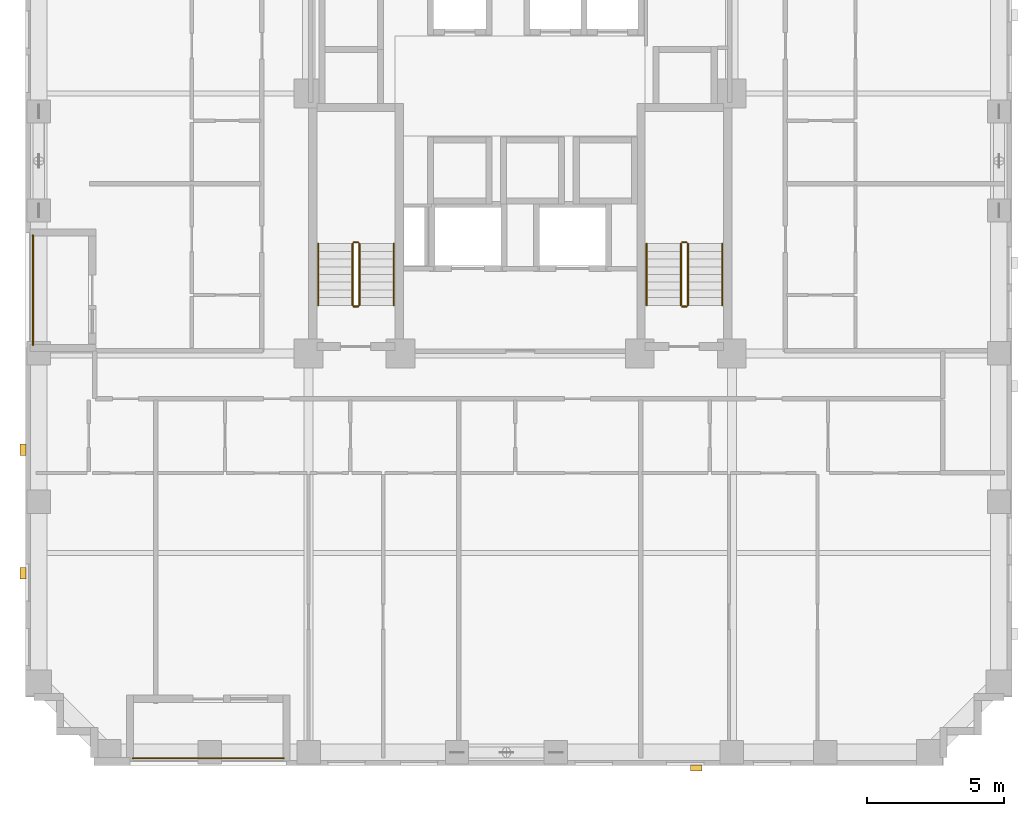
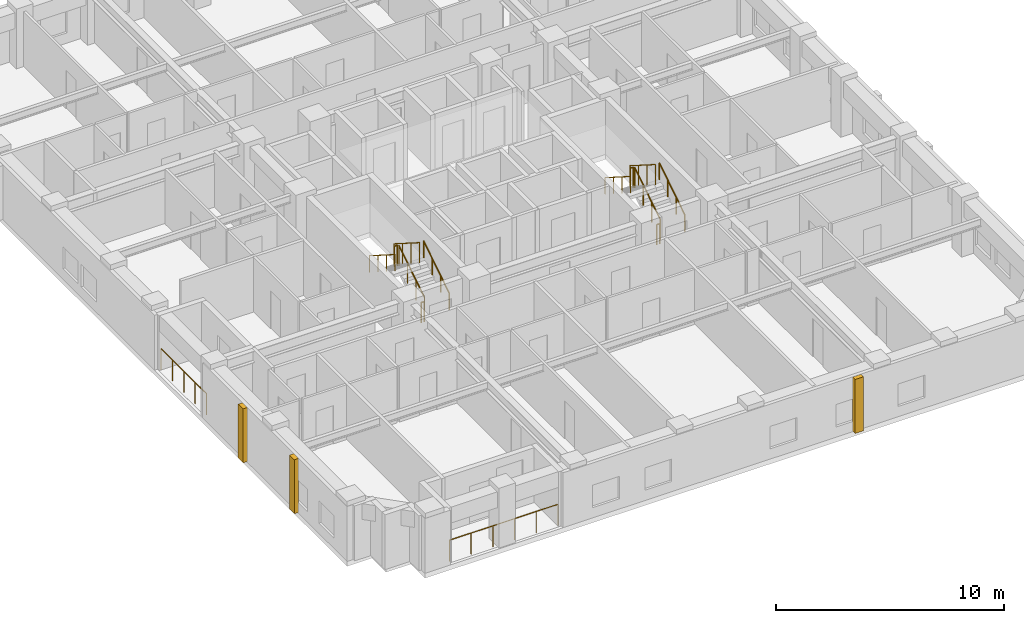
# One storey, part 11 of 12: 14 railings, 3 coverings.
"""IFC4 building model written with IfcOpenShell, lengths in metres."""

from ifc_helpers import new_model, si_unit, derived_unit, direction, frame, origin, origin_2d, place, context, subcontext, project, spatial, rectangle, circle, extrude, material, layer, layer_set, type_object, element, save


model = new_model("IFC4")

# Units and contexts
model_context = context("Model", 3, precision=1e-05, world=origin(), true_north=direction((0.0, 1.0)))
body_context = subcontext(model_context, "Body", "Model", "MODEL_VIEW")
ifc_project = project(units=[si_unit("LENGTHUNIT", "METRE"), si_unit("AREAUNIT", "SQUARE_METRE"), si_unit("VOLUMEUNIT", "CUBIC_METRE"), si_unit("PLANEANGLEUNIT", "RADIAN"), si_unit("MASSUNIT", "GRAM", prefix="KILO"), derived_unit("THERMALTRANSMITTANCEUNIT", [(si_unit("MASSUNIT", "GRAM", prefix="KILO"), 1), (si_unit("TIMEUNIT", "SECOND"), -3), (si_unit("THERMODYNAMICTEMPERATUREUNIT", "KELVIN"), -1)])], contexts=[model_context])

# Site, building, storey
site_placement = place(None, origin())
site = spatial("IfcSite", under=ifc_project, at=site_placement, CompositionType="ELEMENT")
building_placement = place(site_placement, origin())
building = spatial("IfcBuilding", under=site, at=building_placement, Name="Korrvale Station Residences", CompositionType="ELEMENT")
storey_placement = place(building_placement, frame((0.0, 0.0, 87.89990234375)))
storey = spatial("IfcBuildingStorey", under=building, at=storey_placement, Name="L24", CompositionType="ELEMENT", Elevation=87.89990234375)

# Coverings
ifc_material_1 = material(Name="Architectural precast concrete C45/55", Category="concrete")
ifc_layer = layer(ifc_material_1, 0.219970703125, Name="Architectural precast concrete C45/55")
ifc_layer_set = layer_set([ifc_layer], Name="Architectural precast concrete C45/55")
covering_type = type_object("IfcCoveringType", Name="COV-PIER-400", PredefinedType="CLADDING", material=ifc_layer_set)
for number, where, z_axis, x_axis, name in (
    (1, (31.89990234375, -0.090087890625, 0.025390625), (0.0, 0.0, 1.0), (1.0, 0.0, 0.0), "L24 Architectural Precast Facade Pier 01"),
    (2, (7.409912109375, 7.0, 0.025390625), (0.0, 0.0, 1.0), (0.0, 1.0, 0.0), "L24 Architectural Precast Facade Pier 04"),
    (3, (7.409912109375, 11.5, 0.025390625), (0.0, 0.0, 1.0), (0.0, 1.0, 0.0), "L24 Architectural Precast Facade Pier 05"),
):
    element("IfcCovering", number, at=place(storey_placement, frame(where, z_axis=z_axis, x_axis=x_axis)), inside=storey, type_object=covering_type, Name=name, PredefinedType="CLADDING", context=body_context, shape_type="SweptSolid", body=[
        extrude(rectangle(XDim=0.419921875, YDim=0.219970703125, at=origin_2d()), origin(), (0.0, 0.0, 1.0), 2.889892578125),
    ])

# Railings
ifc_material_2 = material(Name="Powder-coated aluminium picket loggia guard", Category="aluminium")
railing_type_1 = type_object("IfcRailingType", Name="RLG-BAL-1150", PredefinedType="GUARDRAIL", material=ifc_material_2)
railing_1_placement = place(storey_placement, frame((11.39990234375, 0.27001953125, 0.0)))
element("IfcRailing", 4, at=railing_1_placement, inside=storey, type_object=railing_type_1, Name="L24 Recessed Loggia Guardrail BAL-L24-S1", PredefinedType="GUARDRAIL", context=body_context, shape_type="SweptSolid", body=[
    extrude(circle(Radius=0.02392578125, at=origin_2d()), frame((0.0, 0.0, 1.1259765625), z_axis=(1.0, 0.0, 0.0), x_axis=(0.0, 1.0, 0.0)), (0.0, 0.0, 1.0), 5.5),
    extrude(circle(Radius=0.02099609375, at=origin_2d()), origin(), (0.0, 0.0, 1.0), 1.101806640625),
    extrude(circle(Radius=0.02099609375, at=origin_2d()), frame((1.10009765625, 0.0, 0.0)), (0.0, 0.0, 1.0), 1.101806640625),
    extrude(circle(Radius=0.02099609375, at=origin_2d()), frame((2.199951171875, 0.0, 0.0)), (0.0, 0.0, 1.0), 1.101806640625),
    extrude(circle(Radius=0.02099609375, at=origin_2d()), frame((3.300048828125, 0.0, 0.0)), (0.0, 0.0, 1.0), 1.101806640625),
    extrude(circle(Radius=0.02099609375, at=origin_2d()), frame((4.39990234375, 0.0, 0.0)), (0.0, 0.0, 1.0), 1.101806640625),
    extrude(circle(Radius=0.02099609375, at=origin_2d()), frame((5.5, 0.0, 0.0)), (0.0, 0.0, 1.0), 1.101806640625),
])
railing_2_placement = place(storey_placement, frame((7.77001953125, 15.300048828125, 0.0)))
element("IfcRailing", 5, at=railing_2_placement, inside=storey, type_object=railing_type_1, Name="L24 Recessed Loggia Guardrail BAL-L24-W1", PredefinedType="GUARDRAIL", context=body_context, shape_type="SweptSolid", body=[
    extrude(circle(Radius=0.02392578125, at=origin_2d()), frame((0.0, 0.0, 1.1259765625), z_axis=(0.0, 1.0, 0.0), x_axis=(-1.0, 0.0, 0.0)), (0.0, 0.0, 1.0), 4.0),
    extrude(circle(Radius=0.02099609375, at=origin_2d()), origin(), (0.0, 0.0, 1.0), 1.101806640625),
    extrude(circle(Radius=0.02099609375, at=origin_2d()), frame((0.0, 1.0, 0.0)), (0.0, 0.0, 1.0), 1.101806640625),
    extrude(circle(Radius=0.02099609375, at=origin_2d()), frame((0.0, 2.0, 0.0)), (0.0, 0.0, 1.0), 1.101806640625),
    extrude(circle(Radius=0.02099609375, at=origin_2d()), frame((0.0, 3.0, 0.0)), (0.0, 0.0, 1.0), 1.101806640625),
    extrude(circle(Radius=0.02099609375, at=origin_2d()), frame((0.0, 4.0, 0.0)), (0.0, 0.0, 1.0), 1.101806640625),
])
ifc_material_3 = material(Name="Brushed stainless-steel continuous stair handrail", Category="steel")
railing_type_2 = type_object("IfcRailingType", Name="RLG-SHND-900", PredefinedType="HANDRAIL", material=ifc_material_3)
railing_3_placement = place(storey_placement, frame((20.89990234375, 16.75, 0.177978515625)))
element("IfcRailing", 6, at=railing_3_placement, inside=storey, type_object=railing_type_2, Name="L24 ST-1 stair handrail 1", PredefinedType="HANDRAIL", context=body_context, shape_type="SweptSolid", body=[
    extrude(circle(Radius=0.02392578125, at=origin_2d()), frame((0.0, 0.0, 0.8759765625), z_axis=(0.0, 0.8442293374, 0.53598211339), x_axis=(-1.0, 0.0, 0.0)), (0.0, 0.0, 1.0), 2.6533203125),
    extrude(circle(Radius=0.02099609375, at=origin_2d()), origin(), (0.0, 0.0, 1.0), 0.851806640625),
    extrude(circle(Radius=0.02099609375, at=origin_2d()), frame((0.0, 0.74658203125, 0.47412109375)), (0.0, 0.0, 1.0), 0.851806640625),
    extrude(circle(Radius=0.02099609375, at=origin_2d()), frame((0.0, 1.493408203125, 0.947998046875)), (0.0, 0.0, 1.0), 0.851806640625),
    extrude(circle(Radius=0.02099609375, at=origin_2d()), frame((0.0, 2.239990234375, 1.422119140625)), (0.0, 0.0, 1.0), 0.851806640625),
])
railing_4_placement = place(storey_placement, frame((18.14990234375, 18.989990234375, 1.77783203125)))
element("IfcRailing", 7, at=railing_4_placement, inside=storey, type_object=railing_type_2, Name="L24 ST-1 stair handrail 2", PredefinedType="HANDRAIL", context=body_context, shape_type="SweptSolid", body=[
    extrude(circle(Radius=0.02392578125, at=origin_2d()), frame((0.0, 0.0, 0.8759765625), z_axis=(0.0, -0.84418770128, 0.536047689118), x_axis=(1.0, 0.0, 0.0)), (0.0, 0.0, 1.0), 2.6533203125),
    extrude(circle(Radius=0.02099609375, at=origin_2d()), origin(), (0.0, 0.0, 1.0), 0.851806640625),
    extrude(circle(Radius=0.02099609375, at=origin_2d()), frame((0.0, -0.74658203125, 0.47412109375)), (0.0, 0.0, 1.0), 0.851806640625),
    extrude(circle(Radius=0.02099609375, at=origin_2d()), frame((0.0, -1.493408203125, 0.9482421875)), (0.0, 0.0, 1.0), 0.851806640625),
    extrude(circle(Radius=0.02099609375, at=origin_2d()), frame((0.0, -2.239990234375, 1.42236328125)), (0.0, 0.0, 1.0), 0.851806640625),
])
railing_5_placement = place(storey_placement, frame((32.85009765625, 16.75, 0.177978515625)))
element("IfcRailing", 8, at=railing_5_placement, inside=storey, type_object=railing_type_2, Name="L24 ST-2 stair handrail 1", PredefinedType="HANDRAIL", context=body_context, shape_type="SweptSolid", body=[
    extrude(circle(Radius=0.02392578125, at=origin_2d()), frame((0.0, 0.0, 0.8759765625), z_axis=(0.0, 0.8442293374, 0.53598211339), x_axis=(-1.0, 0.0, 0.0)), (0.0, 0.0, 1.0), 2.6533203125),
    extrude(circle(Radius=0.02099609375, at=origin_2d()), origin(), (0.0, 0.0, 1.0), 0.851806640625),
    extrude(circle(Radius=0.02099609375, at=origin_2d()), frame((0.0, 0.74658203125, 0.47412109375)), (0.0, 0.0, 1.0), 0.851806640625),
    extrude(circle(Radius=0.02099609375, at=origin_2d()), frame((0.0, 1.493408203125, 0.947998046875)), (0.0, 0.0, 1.0), 0.851806640625),
    extrude(circle(Radius=0.02099609375, at=origin_2d()), frame((0.0, 2.239990234375, 1.422119140625)), (0.0, 0.0, 1.0), 0.851806640625),
])
railing_6_placement = place(storey_placement, frame((30.10009765625, 18.989990234375, 1.77783203125)))
element("IfcRailing", 9, at=railing_6_placement, inside=storey, type_object=railing_type_2, Name="L24 ST-2 stair handrail 2", PredefinedType="HANDRAIL", context=body_context, shape_type="SweptSolid", body=[
    extrude(circle(Radius=0.02392578125, at=origin_2d()), frame((0.0, 0.0, 0.8759765625), z_axis=(0.0, -0.84418770128, 0.536047689118), x_axis=(1.0, 0.0, 0.0)), (0.0, 0.0, 1.0), 2.6533203125),
    extrude(circle(Radius=0.02099609375, at=origin_2d()), origin(), (0.0, 0.0, 1.0), 0.851806640625),
    extrude(circle(Radius=0.02099609375, at=origin_2d()), frame((0.0, -0.74658203125, 0.47412109375)), (0.0, 0.0, 1.0), 0.851806640625),
    extrude(circle(Radius=0.02099609375, at=origin_2d()), frame((0.0, -1.493408203125, 0.9482421875)), (0.0, 0.0, 1.0), 0.851806640625),
    extrude(circle(Radius=0.02099609375, at=origin_2d()), frame((0.0, -2.239990234375, 1.42236328125)), (0.0, 0.0, 1.0), 0.851806640625),
])
ifc_material_4 = material(Name="Galvanised painted tubular steel stair guard", Category="steel")
railing_type_3 = type_object("IfcRailingType", Name="RLG-STR-1100", PredefinedType="GUARDRAIL", material=ifc_material_4)
railing_7_placement = place(storey_placement, frame((19.64990234375, 16.75, 0.177978515625)))
element("IfcRailing", 10, at=railing_7_placement, inside=storey, type_object=railing_type_3, Name="L24 ST-1 stair guard 1", PredefinedType="GUARDRAIL", context=body_context, shape_type="SweptSolid", body=[
    extrude(circle(Radius=0.02392578125, at=origin_2d()), frame((0.0, 0.0, 1.076171875), z_axis=(0.0, 0.8442293374, 0.53598211339), x_axis=(-1.0, 0.0, 0.0)), (0.0, 0.0, 1.0), 2.6533203125),
    extrude(circle(Radius=0.02099609375, at=origin_2d()), origin(), (0.0, 0.0, 1.0), 1.052001953125),
    extrude(circle(Radius=0.02099609375, at=origin_2d()), frame((0.0, 0.74658203125, 0.47412109375)), (0.0, 0.0, 1.0), 1.052001953125),
    extrude(circle(Radius=0.02099609375, at=origin_2d()), frame((0.0, 1.493408203125, 0.947998046875)), (0.0, 0.0, 1.0), 1.052001953125),
    extrude(circle(Radius=0.02099609375, at=origin_2d()), frame((0.0, 2.239990234375, 1.422119140625)), (0.0, 0.0, 1.0), 1.052001953125),
])
railing_8_placement = place(storey_placement, frame((19.60009765625, 19.0400390625, 1.60009765625)))
element("IfcRailing", 11, at=railing_8_placement, inside=storey, type_object=railing_type_3, Name="L24 ST-1 stair guard 2", PredefinedType="GUARDRAIL", context=body_context, shape_type="SweptSolid", body=[
    extrude(circle(Radius=0.02392578125, at=origin_2d()), frame((0.0, 0.0, 1.076171875), z_axis=(-1.0, 0.0, 0.0), x_axis=(0.0, -1.0, 0.0)), (0.0, 0.0, 1.0), 0.150146484375),
    extrude(circle(Radius=0.02099609375, at=origin_2d()), origin(), (0.0, 0.0, 1.0), 1.052001953125),
    extrude(circle(Radius=0.02099609375, at=origin_2d()), frame((-0.150146484375, 0.0, 0.0)), (0.0, 0.0, 1.0), 1.052001953125),
])
railing_9_placement = place(storey_placement, frame((19.39990234375, 18.989990234375, 1.77783203125)))
element("IfcRailing", 12, at=railing_9_placement, inside=storey, type_object=railing_type_3, Name="L24 ST-1 stair guard 3", PredefinedType="GUARDRAIL", context=body_context, shape_type="SweptSolid", body=[
    extrude(circle(Radius=0.02392578125, at=origin_2d()), frame((0.0, 0.0, 1.076171875), z_axis=(0.0, -0.84418770128, 0.536047689118), x_axis=(1.0, 0.0, 0.0)), (0.0, 0.0, 1.0), 2.6533203125),
    extrude(circle(Radius=0.02099609375, at=origin_2d()), origin(), (0.0, 0.0, 1.0), 1.052001953125),
    extrude(circle(Radius=0.02099609375, at=origin_2d()), frame((0.0, -0.74658203125, 0.47412109375)), (0.0, 0.0, 1.0), 1.052001953125),
    extrude(circle(Radius=0.02099609375, at=origin_2d()), frame((0.0, -1.493408203125, 0.9482421875)), (0.0, 0.0, 1.0), 1.052001953125),
    extrude(circle(Radius=0.02099609375, at=origin_2d()), frame((0.0, -2.239990234375, 1.42236328125)), (0.0, 0.0, 1.0), 1.052001953125),
])
railing_10_placement = place(storey_placement, frame((19.60009765625, 16.699951171875, 0.0)))
element("IfcRailing", 13, at=railing_10_placement, inside=storey, type_object=railing_type_3, Name="L24 ST-1 stair guard 4", PredefinedType="GUARDRAIL", context=body_context, shape_type="SweptSolid", body=[
    extrude(circle(Radius=0.02392578125, at=origin_2d()), frame((0.0, 0.0, 1.076171875), z_axis=(-1.0, 0.0, 0.0), x_axis=(0.0, -1.0, 0.0)), (0.0, 0.0, 1.0), 0.150146484375),
    extrude(circle(Radius=0.02099609375, at=origin_2d()), origin(), (0.0, 0.0, 1.0), 1.052001953125),
    extrude(circle(Radius=0.02099609375, at=origin_2d()), frame((-0.150146484375, 0.0, 0.0)), (0.0, 0.0, 1.0), 1.052001953125),
])
railing_11_placement = place(storey_placement, frame((31.60009765625, 16.75, 0.177978515625)))
element("IfcRailing", 14, at=railing_11_placement, inside=storey, type_object=railing_type_3, Name="L24 ST-2 stair guard 1", PredefinedType="GUARDRAIL", context=body_context, shape_type="SweptSolid", body=[
    extrude(circle(Radius=0.02392578125, at=origin_2d()), frame((0.0, 0.0, 1.076171875), z_axis=(0.0, 0.8442293374, 0.53598211339), x_axis=(-1.0, 0.0, 0.0)), (0.0, 0.0, 1.0), 2.6533203125),
    extrude(circle(Radius=0.02099609375, at=origin_2d()), origin(), (0.0, 0.0, 1.0), 1.052001953125),
    extrude(circle(Radius=0.02099609375, at=origin_2d()), frame((0.0, 0.74658203125, 0.47412109375)), (0.0, 0.0, 1.0), 1.052001953125),
    extrude(circle(Radius=0.02099609375, at=origin_2d()), frame((0.0, 1.493408203125, 0.947998046875)), (0.0, 0.0, 1.0), 1.052001953125),
    extrude(circle(Radius=0.02099609375, at=origin_2d()), frame((0.0, 2.239990234375, 1.422119140625)), (0.0, 0.0, 1.0), 1.052001953125),
])
railing_12_placement = place(storey_placement, frame((31.550048828125, 19.0400390625, 1.60009765625)))
element("IfcRailing", 15, at=railing_12_placement, inside=storey, type_object=railing_type_3, Name="L24 ST-2 stair guard 2", PredefinedType="GUARDRAIL", context=body_context, shape_type="SweptSolid", body=[
    extrude(circle(Radius=0.02392578125, at=origin_2d()), frame((0.0, 0.0, 1.076171875), z_axis=(-1.0, 0.0, 0.0), x_axis=(0.0, -1.0, 0.0)), (0.0, 0.0, 1.0), 0.150146484375),
    extrude(circle(Radius=0.02099609375, at=origin_2d()), origin(), (0.0, 0.0, 1.0), 1.052001953125),
    extrude(circle(Radius=0.02099609375, at=origin_2d()), frame((-0.150146484375, 0.0, 0.0)), (0.0, 0.0, 1.0), 1.052001953125),
])
railing_13_placement = place(storey_placement, frame((31.35009765625, 18.989990234375, 1.77783203125)))
element("IfcRailing", 16, at=railing_13_placement, inside=storey, type_object=railing_type_3, Name="L24 ST-2 stair guard 3", PredefinedType="GUARDRAIL", context=body_context, shape_type="SweptSolid", body=[
    extrude(circle(Radius=0.02392578125, at=origin_2d()), frame((0.0, 0.0, 1.076171875), z_axis=(0.0, -0.84418770128, 0.536047689118), x_axis=(1.0, 0.0, 0.0)), (0.0, 0.0, 1.0), 2.6533203125),
    extrude(circle(Radius=0.02099609375, at=origin_2d()), origin(), (0.0, 0.0, 1.0), 1.052001953125),
    extrude(circle(Radius=0.02099609375, at=origin_2d()), frame((0.0, -0.74658203125, 0.47412109375)), (0.0, 0.0, 1.0), 1.052001953125),
    extrude(circle(Radius=0.02099609375, at=origin_2d()), frame((0.0, -1.493408203125, 0.9482421875)), (0.0, 0.0, 1.0), 1.052001953125),
    extrude(circle(Radius=0.02099609375, at=origin_2d()), frame((0.0, -2.239990234375, 1.42236328125)), (0.0, 0.0, 1.0), 1.052001953125),
])
railing_14_placement = place(storey_placement, frame((31.550048828125, 16.699951171875, 0.0)))
element("IfcRailing", 17, at=railing_14_placement, inside=storey, type_object=railing_type_3, Name="L24 ST-2 stair guard 4", PredefinedType="GUARDRAIL", context=body_context, shape_type="SweptSolid", body=[
    extrude(circle(Radius=0.02392578125, at=origin_2d()), frame((0.0, 0.0, 1.076171875), z_axis=(-1.0, 0.0, 0.0), x_axis=(0.0, -1.0, 0.0)), (0.0, 0.0, 1.0), 0.150146484375),
    extrude(circle(Radius=0.02099609375, at=origin_2d()), origin(), (0.0, 0.0, 1.0), 1.052001953125),
    extrude(circle(Radius=0.02099609375, at=origin_2d()), frame((-0.150146484375, 0.0, 0.0)), (0.0, 0.0, 1.0), 1.052001953125),
])

save(model, "model.ifc")
